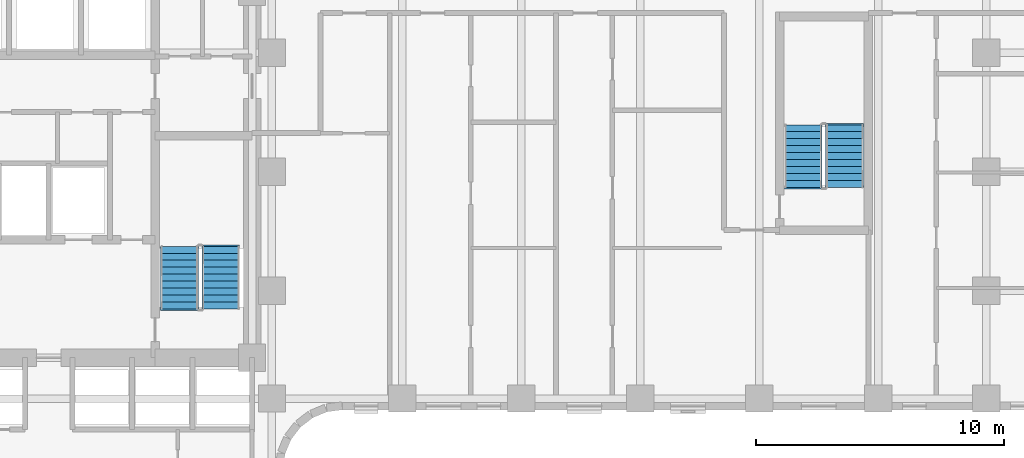
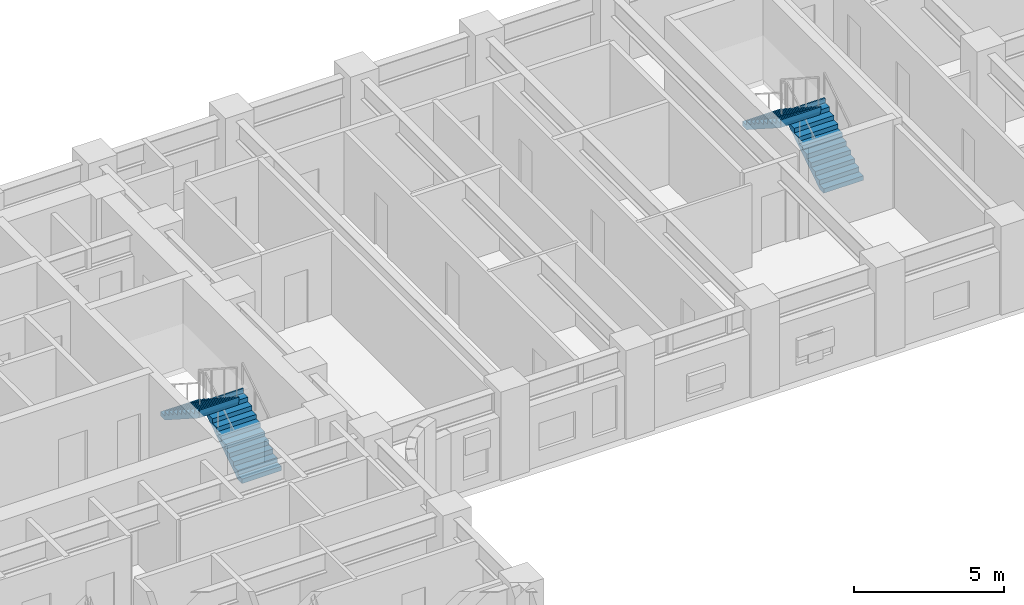
# One storey, part 8 of 11: 4 stair flights, 2 elements without a shape of their own.
"""IFC4 building model written with IfcOpenShell, lengths in metres."""

from ifc_helpers import new_model, si_unit, direction, frame, origin, place, context, subcontext, project, spatial, polyline, outline, extrude, material, type_object, element, aggregate, save


model = new_model("IFC4")

# Units and contexts
model_context = context("Model", 3, precision=1e-05, world=origin(), true_north=direction((0.0, 1.0)))
body_context = subcontext(model_context, "Body", "Model", "MODEL_VIEW")
ifc_project = project(units=[si_unit("LENGTHUNIT", "METRE"), si_unit("AREAUNIT", "SQUARE_METRE"), si_unit("VOLUMEUNIT", "CUBIC_METRE"), si_unit("PLANEANGLEUNIT", "RADIAN"), si_unit("MASSUNIT", "GRAM", prefix="KILO")], contexts=[model_context])

# Site, building, storey
site_placement = place(None, origin())
site = spatial("IfcSite", under=ifc_project, at=site_placement, CompositionType="ELEMENT")
building_placement = place(site_placement, origin())
building = spatial("IfcBuilding", under=site, at=building_placement, Name="Orvandelia Arch Residences", CompositionType="ELEMENT")
storey_placement = place(building_placement, frame((0.0, 0.0, 89.800048828125)))
storey = spatial("IfcBuildingStorey", under=building, at=storey_placement, Name="L23", CompositionType="ELEMENT", Elevation=89.800048828125)

# Stair, stair flights
ifc_material = material(Name="Concrete C40/50", Category="concrete")
stair_type = type_object("IfcStairType", Name="STAIR-RC-DOGLEG", PredefinedType="HALF_TURN_STAIR", material=ifc_material)
stair_1_placement = place(storey_placement, origin())
stair_1 = element("IfcStair", 1, at=stair_1_placement, inside=storey, type_object=stair_type, Name="L23 Protected Exit Stair ST-2", PredefinedType="HALF_TURN_STAIR")
stair_flight_type = type_object("IfcStairFlightType", Name="STFLT-RC-1520", PredefinedType="STRAIGHT", material=ifc_material)
stair_flight_1_placement = place(storey_placement, frame((21.489990234375, 32.8701171875, 0.0), z_axis=(0.0, 0.0, 1.0), x_axis=(0.0, 1.0, 0.0)))
stair_flight_1 = element("IfcStairFlight", 2, at=stair_flight_1_placement, type_object=stair_flight_type, Name="ST-2 flight 1", NumberOfRisers=10, NumberOfTreads=9, PredefinedType="STRAIGHT", RiserHeight=0.18, TreadLength=0.28, context=body_context, shape_type="SweptSolid", body=[
    extrude(outline(polyline([(0.0, 0.0), (0.0, 0.179931640625), (0.280029296875, 0.179931640625), (0.280029296875, 0.360107421875), (0.56005859375, 0.360107421875), (0.56005859375, 0.5400390625), (0.840087890625, 0.5400390625), (0.840087890625, 0.719970703125), (1.1201171875, 0.719970703125), (1.1201171875, 0.89990234375), (1.39990234375, 0.89990234375), (1.39990234375, 1.080078125), (1.679931640625, 1.080078125), (1.679931640625, 1.260009765625), (1.9599609375, 1.260009765625), (1.9599609375, 1.43994140625), (2.239990234375, 1.43994140625), (2.239990234375, 1.6201171875), (2.52001953125, 1.6201171875), (2.52001953125, 1.800048828125), (2.580078125, 1.800048828125), (2.580078125, 1.6201171875), (2.52001953125, 1.44189453125), (0.277099609375, 0.0), (0.0, 0.0)])), frame((0.0, 0.760009765625, 0.0), z_axis=(0.0, -1.0, 0.0), x_axis=(1.0, 0.0, 0.0)), (0.0, 0.0, 1.0), 1.52001953125),
])
stair_flight_2_placement = place(storey_placement, frame((19.820068359375, 35.389892578125, 1.800048828125), z_axis=(0.0, 0.0, 1.0), x_axis=(0.0, -1.0, 0.0)))
stair_flight_2 = element("IfcStairFlight", 3, at=stair_flight_2_placement, type_object=stair_flight_type, Name="ST-2 flight 2", NumberOfRisers=10, NumberOfTreads=9, PredefinedType="STRAIGHT", RiserHeight=0.18, TreadLength=0.28, context=body_context, shape_type="SweptSolid", body=[
    extrude(outline(polyline([(0.0, 0.0), (0.0, 0.179931640625), (0.280029296875, 0.179931640625), (0.280029296875, 0.360107421875), (0.56005859375, 0.360107421875), (0.56005859375, 0.5400390625), (0.840087890625, 0.5400390625), (0.840087890625, 0.719970703125), (1.1201171875, 0.719970703125), (1.1201171875, 0.89990234375), (1.39990234375, 0.89990234375), (1.39990234375, 1.080078125), (1.679931640625, 1.080078125), (1.679931640625, 1.260009765625), (1.9599609375, 1.260009765625), (1.9599609375, 1.43994140625), (2.239990234375, 1.43994140625), (2.239990234375, 1.6201171875), (2.52001953125, 1.6201171875), (2.52001953125, 1.800048828125), (2.580078125, 1.800048828125), (2.580078125, 1.6201171875), (2.52001953125, 1.44189453125), (0.277099609375, 0.0), (0.0, 0.0)])), frame((0.0, 0.760009765625, 0.0), z_axis=(0.0, -1.0, 0.0), x_axis=(1.0, 0.0, 0.0)), (0.0, 0.0, 1.0), 1.52001953125),
])
aggregate(stair_1, [stair_flight_1, stair_flight_2])

stair_2_placement = place(storey_placement, origin())
stair_2 = element("IfcStair", 4, at=stair_2_placement, inside=storey, type_object=stair_type, Name="L23 East Wing Exit Stair ST-3", PredefinedType="HALF_TURN_STAIR")
stair_flight_3_placement = place(storey_placement, frame((46.639892578125, 37.77001953125, 0.0), z_axis=(0.0, 0.0, 1.0), x_axis=(0.0, 1.0, 0.0)))
stair_flight_3 = element("IfcStairFlight", 5, at=stair_flight_3_placement, type_object=stair_flight_type, Name="ST-3 flight 1", NumberOfRisers=10, NumberOfTreads=9, PredefinedType="STRAIGHT", RiserHeight=0.18, TreadLength=0.28, context=body_context, shape_type="SweptSolid", body=[
    extrude(outline(polyline([(0.0, 0.0), (0.0, 0.179931640625), (0.280029296875, 0.179931640625), (0.280029296875, 0.360107421875), (0.56005859375, 0.360107421875), (0.56005859375, 0.5400390625), (0.840087890625, 0.5400390625), (0.840087890625, 0.719970703125), (1.1201171875, 0.719970703125), (1.1201171875, 0.89990234375), (1.39990234375, 0.89990234375), (1.39990234375, 1.080078125), (1.679931640625, 1.080078125), (1.679931640625, 1.260009765625), (1.9599609375, 1.260009765625), (1.9599609375, 1.43994140625), (2.239990234375, 1.43994140625), (2.239990234375, 1.6201171875), (2.52001953125, 1.6201171875), (2.52001953125, 1.800048828125), (2.580078125, 1.800048828125), (2.580078125, 1.6201171875), (2.52001953125, 1.44189453125), (0.277099609375, 0.0), (0.0, 0.0)])), frame((0.0, 0.760009765625, 0.0), z_axis=(0.0, -1.0, 0.0), x_axis=(1.0, 0.0, 0.0)), (0.0, 0.0, 1.0), 1.52001953125),
])
stair_flight_4_placement = place(storey_placement, frame((44.969970703125, 40.2900390625, 1.800048828125), z_axis=(0.0, 0.0, 1.0), x_axis=(0.0, -1.0, 0.0)))
stair_flight_4 = element("IfcStairFlight", 6, at=stair_flight_4_placement, type_object=stair_flight_type, Name="ST-3 flight 2", NumberOfRisers=10, NumberOfTreads=9, PredefinedType="STRAIGHT", RiserHeight=0.18, TreadLength=0.28, context=body_context, shape_type="SweptSolid", body=[
    extrude(outline(polyline([(0.0, 0.0), (0.0, 0.179931640625), (0.280029296875, 0.179931640625), (0.280029296875, 0.360107421875), (0.56005859375, 0.360107421875), (0.56005859375, 0.5400390625), (0.840087890625, 0.5400390625), (0.840087890625, 0.719970703125), (1.1201171875, 0.719970703125), (1.1201171875, 0.89990234375), (1.39990234375, 0.89990234375), (1.39990234375, 1.080078125), (1.679931640625, 1.080078125), (1.679931640625, 1.260009765625), (1.9599609375, 1.260009765625), (1.9599609375, 1.43994140625), (2.239990234375, 1.43994140625), (2.239990234375, 1.6201171875), (2.52001953125, 1.6201171875), (2.52001953125, 1.800048828125), (2.580078125, 1.800048828125), (2.580078125, 1.6201171875), (2.52001953125, 1.44189453125), (0.277099609375, 0.0), (0.0, 0.0)])), frame((0.0, 0.760009765625, 0.0), z_axis=(0.0, -1.0, 0.0), x_axis=(1.0, 0.0, 0.0)), (0.0, 0.0, 1.0), 1.52001953125),
])
aggregate(stair_2, [stair_flight_3, stair_flight_4])

save(model, "model.ifc")
